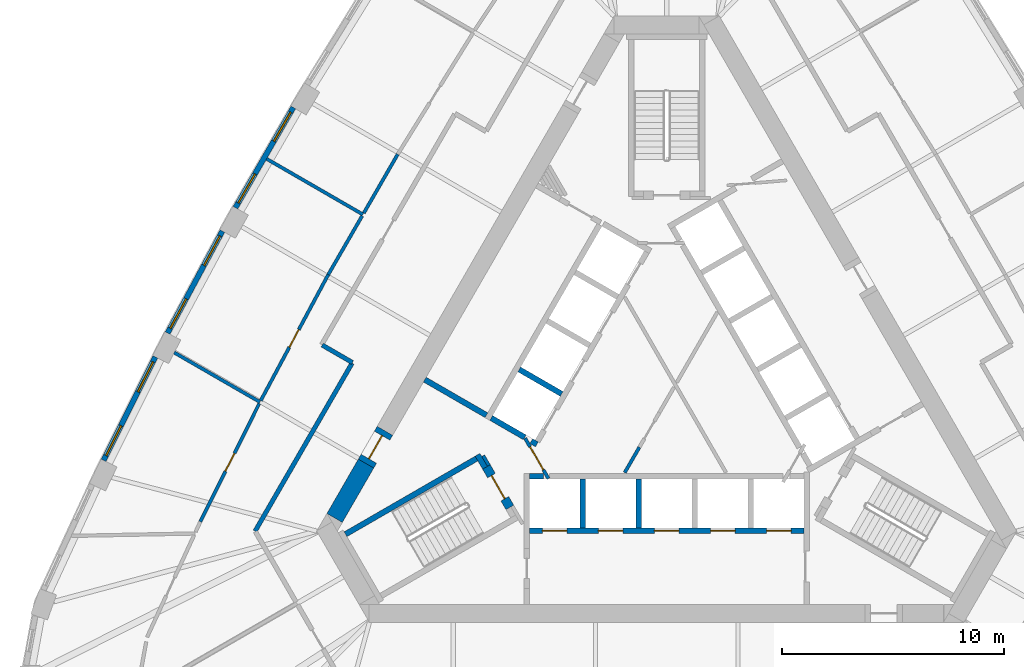
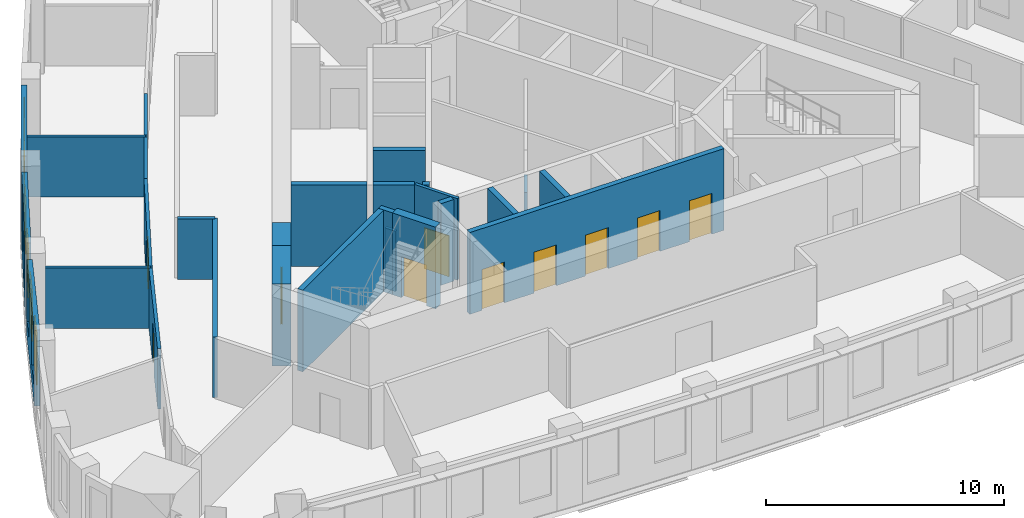
# One storey, part 4 of 10: 27 walls, 10 doors, 6 windows, 16 openings.
"""IFC4 building model written with IfcOpenShell, lengths in metres."""

from ifc_helpers import new_model, si_unit, direction, frame, frame_2d, origin, place, context, subcontext, project, spatial, rectangle, extrude, material, layer, layer_set, type_object, element, fill, save


model = new_model("IFC4")

# Units and contexts
model_context = context("Model", 3, precision=1e-05, world=origin(), true_north=direction((0.0, 1.0)))
body_context = subcontext(model_context, "Body", "Model", "MODEL_VIEW")
ifc_project = project(units=[si_unit("LENGTHUNIT", "METRE"), si_unit("AREAUNIT", "SQUARE_METRE"), si_unit("VOLUMEUNIT", "CUBIC_METRE"), si_unit("PLANEANGLEUNIT", "RADIAN"), si_unit("MASSUNIT", "GRAM", prefix="KILO")], contexts=[model_context])

# Site, building, storey
site_placement = place(None, origin())
site = spatial("IfcSite", under=ifc_project, at=site_placement, CompositionType="ELEMENT")
building_placement = place(site_placement, origin())
building = spatial("IfcBuilding", under=site, at=building_placement, Name="Mestral Congress Tower", CompositionType="ELEMENT")
storey_placement = place(building_placement, frame((0.0, 0.0, 192.0)))
storey = spatial("IfcBuildingStorey", under=building, at=storey_placement, Name="L45", CompositionType="ELEMENT", Elevation=192.0)

# Walls
ifc_material_1 = material(Name="Fire-rated board partition")
ifc_layer_1 = layer(ifc_material_1, 0.14990234375)
ifc_layer_set_1 = layer_set([ifc_layer_1], Name="Fire-rated board partition")
wall_type_1 = type_object("IfcWallType", Name="Core partition 150", PredefinedType="PARTITIONING", material=ifc_layer_set_1)
wall_1_placement = place(storey_placement, frame((-8.251953125, -2.958251953125, 0.0), z_axis=(0.0, 0.0, 1.0), x_axis=(0.500174715838, -0.865924508047, 0.0)))
element("IfcWall", 1, at=wall_1_placement, inside=storey, type_object=wall_type_1, Name="L45 core wall", PredefinedType="PARTITIONING", context=body_context, shape_type="SweptSolid", body=[
    extrude(rectangle(XDim=0.513916015625, YDim=0.14990234375, at=frame_2d((0.2568359375, 0.0))), origin(), (0.0, 0.0, 1.0), 3.10009765625),
])
wall_2_placement = place(storey_placement, frame((-1.886962890625, -3.71826171875, 0.0), z_axis=(0.0, 0.0, 1.0), x_axis=(0.500033191285, 0.866006239939, 0.0)))
element("IfcWall", 2, at=wall_2_placement, inside=storey, type_object=wall_type_1, Name="L45 core wall", PredefinedType="PARTITIONING", context=body_context, shape_type="SweptSolid", body=[
    extrude(rectangle(XDim=1.31494140625, YDim=0.14990234375, at=frame_2d((0.657470703125, 0.0))), origin(), (0.0, 0.0, 1.0), 3.10009765625),
])
ifc_material_2 = material(Name="Concrete C60/75", Category="concrete")
ifc_layer_2 = layer(ifc_material_2, 0.800048828125)
ifc_layer_set_2 = layer_set([ifc_layer_2], Name="Concrete C60/75")
wall_type_2 = type_object("IfcWallType", Name="Core wall RC 800", PredefinedType="SOLIDWALL", material=ifc_layer_set_2)
wall_3_placement = place(storey_placement, frame((-13.518310546875, -3.314208984375, 0.0), z_axis=(0.0, 0.0, 1.0), x_axis=(-0.499969377405, -0.866043083026, 0.0)))
element("IfcWall", 3, at=wall_3_placement, inside=storey, type_object=wall_type_2, Name="L45 core wall", PredefinedType="SOLIDWALL", context=body_context, shape_type="SweptSolid", body=[
    extrude(rectangle(XDim=2.824462890625, YDim=0.800048828125, at=frame_2d((1.412109375, 0.0))), origin(), (0.0, 0.0, 1.0), 4.199951171875),
])

# Wall, opening, door
wall_4_placement = place(storey_placement, frame((-13.518310546875, -3.314208984375, 0.0), z_axis=(0.0, 0.0, 1.0), x_axis=(0.500000056704, 0.866025371046, 0.0)))
wall_4 = element("IfcWall", 4, at=wall_4_placement, inside=storey, type_object=wall_type_2, Name="L45 door wall", PredefinedType="SOLIDWALL", context=body_context, shape_type="SweptSolid", body=[
    extrude(rectangle(XDim=1.7001953125, YDim=0.800048828125, at=frame_2d((0.85009765625, 0.0))), origin(), (0.0, 0.0, 1.0), 4.199951171875),
])
opening_1_placement = place(wall_4_placement, frame((0.25, 0.0, 0.0)))
opening_1 = element("IfcOpeningElement", 5, at=opening_1_placement, cuts=wall_4, Name="Opening XD3", PredefinedType="OPENING", context=body_context, shape_type="SweptSolid", body=[
    extrude(rectangle(XDim=1.199951171875, YDim=2.10009765625, at=frame_2d((0.60009765625, 1.050048828125))), frame((0.0, 0.409912109375, 0.0), z_axis=(0.0, -1.0, 0.0), x_axis=(1.0, 0.0, 0.0)), (0.0, 0.0, 1.0), 0.820068359375),
])
ifc_material_3 = material(Name="Fire-rated steel door set", Category="steel")
door_type_1 = type_object("IfcDoorType", Name="Core door XD 1200x2100", OperationType="SINGLE_SWING_LEFT", PredefinedType="DOOR", material=ifc_material_3)
door_1_placement = place(opening_1_placement, origin())
door_1 = element("IfcDoor", 6, at=door_1_placement, inside=storey, type_object=door_type_1, Name="Door XD3", OperationType="SINGLE_SWING_LEFT", OverallHeight=2.10009765625, OverallWidth=1.199951171875, PredefinedType="DOOR", context=body_context, shape_type="SweptSolid", body=[
    extrude(rectangle(XDim=1.199951171875, YDim=2.10009765625, at=frame_2d((0.60009765625, 1.050048828125))), frame((0.0, 0.02490234375, 0.0), z_axis=(0.0, -1.0, 0.0), x_axis=(1.0, 0.0, 0.0)), (0.0, 0.0, 1.0), 0.050048828125),
])
fill(opening_1, door_1)

# Wall, openings, windows
ifc_material_4 = material(Name="Precast concrete C40/50 with limestone facing", Category="masonry")
ifc_layer_3 = layer(ifc_material_4, 0.239990234375)
ifc_layer_set_3 = layer_set([ifc_layer_3], Name="Precast concrete C40/50 with limestone facing")
wall_type_3 = type_object("IfcWallType", Name="Facade stone wall 240", PredefinedType="SOLIDWALL", material=ifc_layer_set_3)
wall_5_placement = place(storey_placement, frame((-16.788818359375, 12.697265625, 0.0), z_axis=(0.0, 0.0, 1.0), x_axis=(-0.500009456303, -0.866019944116, 0.0)))
wall_5 = element("IfcWall", 7, at=wall_5_placement, inside=storey, type_object=wall_type_3, Name="Facade wall F2-03", PredefinedType="SOLIDWALL", context=body_context, shape_type="SweptSolid", body=[
    extrude(rectangle(XDim=5.20361328125, YDim=0.239990234375, at=frame_2d((2.601806640625, 0.0))), origin(), (0.0, 0.0, 1.0), 3.89990234375),
])
opening_2_placement = place(wall_5_placement, frame((0.248291015625, 0.0, 0.89990234375)))
opening_2 = element("IfcOpeningElement", 8, at=opening_2_placement, cuts=wall_5, Name="Opening W4", PredefinedType="OPENING", context=body_context, shape_type="SweptSolid", body=[
    extrude(rectangle(XDim=1.5, YDim=2.550048828125, at=frame_2d((0.75, 1.27490234375))), frame((0.0, 0.1298828125, 0.0), z_axis=(0.0, -1.0, 0.0), x_axis=(1.0, 0.0, 0.0)), (0.0, 0.0, 1.0), 0.260009765625),
])
opening_3_placement = place(wall_5_placement, frame((3.455078125, 0.0, 0.89990234375)))
opening_3 = element("IfcOpeningElement", 9, at=opening_3_placement, cuts=wall_5, Name="Opening W4", PredefinedType="OPENING", context=body_context, shape_type="SweptSolid", body=[
    extrude(rectangle(XDim=1.5, YDim=2.550048828125, at=frame_2d((0.75, 1.27490234375))), frame((0.0, 0.1298828125, 0.0), z_axis=(0.0, -1.0, 0.0), x_axis=(1.0, 0.0, 0.0)), (0.0, 0.0, 1.0), 0.260009765625),
])
ifc_material_5 = material(Name="Clear low-emissivity double glazing", Category="glass")
window_type = type_object("IfcWindowType", Name="Facade punched window 1500 x 2550 sill 900", PartitioningType="SINGLE_PANEL", PredefinedType="WINDOW", material=ifc_material_5)
window_1_placement = place(opening_2_placement, origin())
window_1 = element("IfcWindow", 10, at=window_1_placement, inside=storey, type_object=window_type, Name="Window F2-03a", OverallHeight=2.550048828125, OverallWidth=1.5, PartitioningType="SINGLE_PANEL", PredefinedType="WINDOW", context=body_context, shape_type="SweptSolid", body=[
    extrude(rectangle(XDim=1.5, YDim=2.550048828125, at=frame_2d((0.75, 1.27490234375))), frame((0.0, 0.0400390625, 0.0), z_axis=(0.0, -1.0, 0.0), x_axis=(1.0, 0.0, 0.0)), (0.0, 0.0, 1.0), 0.06005859375),
])
fill(opening_2, window_1)
window_2_placement = place(opening_3_placement, origin())
window_2 = element("IfcWindow", 11, at=window_2_placement, inside=storey, type_object=window_type, Name="Window F2-03b", OverallHeight=2.550048828125, OverallWidth=1.5, PartitioningType="SINGLE_PANEL", PredefinedType="WINDOW", context=body_context, shape_type="SweptSolid", body=[
    extrude(rectangle(XDim=1.5, YDim=2.550048828125, at=frame_2d((0.75, 1.27490234375))), frame((0.0, 0.0400390625, 0.0), z_axis=(0.0, -1.0, 0.0), x_axis=(1.0, 0.0, 0.0)), (0.0, 0.0, 1.0), 0.06005859375),
])
fill(opening_3, window_2)

wall_6_placement = place(storey_placement, frame((-19.976806640625, 7.138671875, 0.0), z_axis=(0.0, 0.0, 1.0), x_axis=(-0.473349833294, -0.880874528704, 0.0)))
wall_6 = element("IfcWall", 12, at=wall_6_placement, inside=storey, type_object=wall_type_3, Name="Facade wall F2-04", PredefinedType="SOLIDWALL", context=body_context, shape_type="SweptSolid", body=[
    extrude(rectangle(XDim=5.20361328125, YDim=0.239990234375, at=frame_2d((2.601806640625, 0.0))), origin(), (0.0, 0.0, 1.0), 3.89990234375),
])
opening_4_placement = place(wall_6_placement, frame((0.248291015625, 0.0, 0.89990234375)))
opening_4 = element("IfcOpeningElement", 13, at=opening_4_placement, cuts=wall_6, Name="Opening W4", PredefinedType="OPENING", context=body_context, shape_type="SweptSolid", body=[
    extrude(rectangle(XDim=1.5, YDim=2.550048828125, at=frame_2d((0.75, 1.27490234375))), frame((0.0, 0.1298828125, 0.0), z_axis=(0.0, -1.0, 0.0), x_axis=(1.0, 0.0, 0.0)), (0.0, 0.0, 1.0), 0.260009765625),
])
opening_5_placement = place(wall_6_placement, frame((3.455078125, 0.0, 0.89990234375)))
opening_5 = element("IfcOpeningElement", 14, at=opening_5_placement, cuts=wall_6, Name="Opening W4", PredefinedType="OPENING", context=body_context, shape_type="SweptSolid", body=[
    extrude(rectangle(XDim=1.5, YDim=2.550048828125, at=frame_2d((0.75, 1.27490234375))), frame((0.0, 0.1298828125, 0.0), z_axis=(0.0, -1.0, 0.0), x_axis=(1.0, 0.0, 0.0)), (0.0, 0.0, 1.0), 0.260009765625),
])
window_3_placement = place(opening_4_placement, origin())
window_3 = element("IfcWindow", 15, at=window_3_placement, inside=storey, type_object=window_type, Name="Window F2-04a", OverallHeight=2.550048828125, OverallWidth=1.5, PartitioningType="SINGLE_PANEL", PredefinedType="WINDOW", context=body_context, shape_type="SweptSolid", body=[
    extrude(rectangle(XDim=1.5, YDim=2.550048828125, at=frame_2d((0.75, 1.27490234375))), frame((0.0, 0.0400390625, 0.0), z_axis=(0.0, -1.0, 0.0), x_axis=(1.0, 0.0, 0.0)), (0.0, 0.0, 1.0), 0.06005859375),
])
fill(opening_4, window_3)
window_4_placement = place(opening_5_placement, origin())
window_4 = element("IfcWindow", 16, at=window_4_placement, inside=storey, type_object=window_type, Name="Window F2-04b", OverallHeight=2.550048828125, OverallWidth=1.5, PartitioningType="SINGLE_PANEL", PredefinedType="WINDOW", context=body_context, shape_type="SweptSolid", body=[
    extrude(rectangle(XDim=1.5, YDim=2.550048828125, at=frame_2d((0.75, 1.27490234375))), frame((0.0, 0.0400390625, 0.0), z_axis=(0.0, -1.0, 0.0), x_axis=(1.0, 0.0, 0.0)), (0.0, 0.0, 1.0), 0.06005859375),
])
fill(opening_5, window_4)

wall_7_placement = place(storey_placement, frame((-22.993896484375, 1.485107421875, 0.0), z_axis=(0.0, 0.0, 1.0), x_axis=(-0.446256171312, -0.8949052629, 0.0)))
wall_7 = element("IfcWall", 17, at=wall_7_placement, inside=storey, type_object=wall_type_3, Name="Facade wall F2-05", PredefinedType="SOLIDWALL", context=body_context, shape_type="SweptSolid", body=[
    extrude(rectangle(XDim=5.203369140625, YDim=0.239990234375, at=frame_2d((2.6015625, 0.0))), origin(), (0.0, 0.0, 1.0), 3.89990234375),
])
opening_6_placement = place(wall_7_placement, frame((0.248291015625, 0.0, 0.89990234375)))
opening_6 = element("IfcOpeningElement", 18, at=opening_6_placement, cuts=wall_7, Name="Opening W4", PredefinedType="OPENING", context=body_context, shape_type="SweptSolid", body=[
    extrude(rectangle(XDim=1.5, YDim=2.550048828125, at=frame_2d((0.75, 1.27490234375))), frame((0.0, 0.1298828125, 0.0), z_axis=(0.0, -1.0, 0.0), x_axis=(1.0, 0.0, 0.0)), (0.0, 0.0, 1.0), 0.260009765625),
])
opening_7_placement = place(wall_7_placement, frame((3.455078125, 0.0, 0.89990234375)))
opening_7 = element("IfcOpeningElement", 19, at=opening_7_placement, cuts=wall_7, Name="Opening W4", PredefinedType="OPENING", context=body_context, shape_type="SweptSolid", body=[
    extrude(rectangle(XDim=1.5, YDim=2.550048828125, at=frame_2d((0.75, 1.27490234375))), frame((0.0, 0.1298828125, 0.0), z_axis=(0.0, -1.0, 0.0), x_axis=(1.0, 0.0, 0.0)), (0.0, 0.0, 1.0), 0.260009765625),
])
window_5_placement = place(opening_6_placement, origin())
window_5 = element("IfcWindow", 20, at=window_5_placement, inside=storey, type_object=window_type, Name="Window F2-05a", OverallHeight=2.550048828125, OverallWidth=1.5, PartitioningType="SINGLE_PANEL", PredefinedType="WINDOW", context=body_context, shape_type="SweptSolid", body=[
    extrude(rectangle(XDim=1.5, YDim=2.550048828125, at=frame_2d((0.75, 1.27490234375))), frame((0.0, 0.0400390625, 0.0), z_axis=(0.0, -1.0, 0.0), x_axis=(1.0, 0.0, 0.0)), (0.0, 0.0, 1.0), 0.06005859375),
])
fill(opening_6, window_5)
window_6_placement = place(opening_7_placement, origin())
window_6 = element("IfcWindow", 21, at=window_6_placement, inside=storey, type_object=window_type, Name="Window F2-05b", OverallHeight=2.550048828125, OverallWidth=1.5, PartitioningType="SINGLE_PANEL", PredefinedType="WINDOW", context=body_context, shape_type="SweptSolid", body=[
    extrude(rectangle(XDim=1.5, YDim=2.550048828125, at=frame_2d((0.75, 1.27490234375))), frame((0.0, 0.0400390625, 0.0), z_axis=(0.0, -1.0, 0.0), x_axis=(1.0, 0.0, 0.0)), (0.0, 0.0, 1.0), 0.06005859375),
])
fill(opening_7, window_6)

# Walls
ifc_material_6 = material(Name="Plasterboard partition on steel studs", Category="steel")
ifc_layer_4 = layer(ifc_material_6, 0.14990234375)
ifc_layer_set_4 = layer_set([ifc_layer_4], Name="Plasterboard partition on steel studs")
wall_type_4 = type_object("IfcWallType", Name="Office partition 150", PredefinedType="PARTITIONING", material=ifc_layer_set_4)
wall_8_placement = place(storey_placement, frame((-13.65576171875, 7.884033203125, 0.0), z_axis=(0.0, 0.0, 1.0), x_axis=(-0.866022959057, 0.500004234368, 0.0)))
element("IfcWall", 22, at=wall_8_placement, inside=storey, type_object=wall_type_4, Name="Partition", PredefinedType="PARTITIONING", context=body_context, shape_type="SweptSolid", body=[
    extrude(rectangle(XDim=5.0, YDim=0.14990234375, at=frame_2d((2.5, 0.0))), origin(), (0.0, 0.0, 1.0), 3.10009765625),
])
wall_9_placement = place(storey_placement, frame((-12.0927734375, 10.59130859375, 0.0), z_axis=(0.0, 0.0, 1.0), x_axis=(-0.499994921628, -0.866028335764, 0.0)))
element("IfcWall", 23, at=wall_9_placement, inside=storey, type_object=wall_type_4, Name="Partition", PredefinedType="PARTITIONING", context=body_context, shape_type="SweptSolid", body=[
    extrude(rectangle(XDim=3.05078125, YDim=0.14990234375, at=frame_2d((1.525390625, 0.0))), origin(), (0.0, 0.0, 1.0), 3.10009765625),
])
wall_10_placement = place(storey_placement, frame((-18.2861328125, -0.54736328125, 0.0), z_axis=(0.0, 0.0, 1.0), x_axis=(-0.866043033223, 0.499969463673, 0.0)))
element("IfcWall", 24, at=wall_10_placement, inside=storey, type_object=wall_type_4, Name="Partition", PredefinedType="PARTITIONING", context=body_context, shape_type="SweptSolid", body=[
    extrude(rectangle(XDim=4.448974609375, YDim=0.14990234375, at=frame_2d((2.224609375, 0.0))), origin(), (0.0, 0.0, 1.0), 3.10009765625),
])
wall_11_placement = place(storey_placement, frame((-13.693115234375, 7.819091796875, 0.0), z_axis=(0.0, 0.0, 1.0), x_axis=(-0.500054937028, -0.865993683553, 0.0)))
element("IfcWall", 25, at=wall_11_placement, inside=storey, type_object=wall_type_4, Name="Partition", PredefinedType="PARTITIONING", context=body_context, shape_type="SweptSolid", body=[
    extrude(rectangle(XDim=3.051025390625, YDim=0.14990234375, at=frame_2d((1.525390625, 0.0))), origin(), (0.0, 0.0, 1.0), 3.10009765625),
])

# Wall, opening, door
wall_12_placement = place(storey_placement, frame((-18.250732421875, -0.481201171875, 0.0), z_axis=(0.0, 0.0, 1.0), x_axis=(0.472318506028, 0.881427948765, 0.0)))
wall_12 = element("IfcWall", 26, at=wall_12_placement, inside=storey, type_object=wall_type_4, Name="Partition", PredefinedType="PARTITIONING", context=body_context, shape_type="SweptSolid", body=[
    extrude(rectangle(XDim=6.41943359375, YDim=0.14990234375, at=frame_2d((3.209716796875, 0.0))), origin(), (0.0, 0.0, 1.0), 3.10009765625),
])
opening_8_placement = place(wall_12_placement, frame((2.719482421875, 0.0, 0.0)))
opening_8 = element("IfcOpeningElement", 27, at=opening_8_placement, cuts=wall_12, Name="Opening O05-014", PredefinedType="OPENING", context=body_context, shape_type="SweptSolid", body=[
    extrude(rectangle(XDim=0.89990234375, YDim=2.10009765625, at=frame_2d((0.449951171875, 1.050048828125))), frame((0.0, 0.0849609375, 0.0), z_axis=(0.0, -1.0, 0.0), x_axis=(1.0, 0.0, 0.0)), (0.0, 0.0, 1.0), 0.169921875),
])
ifc_material_7 = material(Name="Timber door set", Category="wood")
door_type_2 = type_object("IfcDoorType", Name="Office door 900x2100", OperationType="SINGLE_SWING_LEFT", PredefinedType="DOOR", material=ifc_material_7)
door_2_placement = place(opening_8_placement, origin())
door_2 = element("IfcDoor", 28, at=door_2_placement, inside=storey, type_object=door_type_2, Name="Door O05-014", OperationType="SINGLE_SWING_LEFT", OverallHeight=2.10009765625, OverallWidth=0.89990234375, PredefinedType="DOOR", context=body_context, shape_type="SweptSolid", body=[
    extrude(rectangle(XDim=0.89990234375, YDim=2.10009765625, at=frame_2d((0.449951171875, 1.050048828125))), frame((0.0, 0.02490234375, 0.0), z_axis=(0.0, -1.0, 0.0), x_axis=(1.0, 0.0, 0.0)), (0.0, 0.0, 1.0), 0.050048828125),
])
fill(opening_8, door_2)

wall_13_placement = place(storey_placement, frame((-20.9677734375, -5.92529296875, 0.0), z_axis=(0.0, 0.0, 1.0), x_axis=(0.446258864447, 0.894903919928, 0.0)))
wall_13 = element("IfcWall", 29, at=wall_13_placement, inside=storey, type_object=wall_type_4, Name="Partition", PredefinedType="PARTITIONING", context=body_context, shape_type="SweptSolid", body=[
    extrude(rectangle(XDim=5.934326171875, YDim=0.14990234375, at=frame_2d((2.96728515625, 0.0))), origin(), (0.0, 0.0, 1.0), 3.10009765625),
])
opening_9_placement = place(wall_13_placement, frame((2.5341796875, 0.0, 0.0)))
opening_9 = element("IfcOpeningElement", 30, at=opening_9_placement, cuts=wall_13, Name="Opening O05-015", PredefinedType="OPENING", context=body_context, shape_type="SweptSolid", body=[
    extrude(rectangle(XDim=0.89990234375, YDim=2.10009765625, at=frame_2d((0.449951171875, 1.050048828125))), frame((0.0, 0.0849609375, 0.0), z_axis=(0.0, -1.0, 0.0), x_axis=(1.0, 0.0, 0.0)), (0.0, 0.0, 1.0), 0.169921875),
])
door_3_placement = place(opening_9_placement, origin())
door_3 = element("IfcDoor", 31, at=door_3_placement, inside=storey, type_object=door_type_2, Name="Door O05-015", OperationType="SINGLE_SWING_RIGHT", OverallHeight=2.10009765625, OverallWidth=0.89990234375, PredefinedType="DOOR", context=body_context, shape_type="SweptSolid", body=[
    extrude(rectangle(XDim=0.89990234375, YDim=2.10009765625, at=frame_2d((0.449951171875, 1.050048828125))), frame((0.0, 0.02490234375, 0.0), z_axis=(0.0, -1.0, 0.0), x_axis=(1.0, 0.0, 0.0)), (0.0, 0.0, 1.0), 0.050048828125),
])
fill(opening_9, door_3)

# Walls
ifc_material_8 = material(Name="Dense masonry wall, plastered", Category="masonry")
ifc_layer_5 = layer(ifc_material_8, 0.199951171875)
ifc_layer_set_5 = layer_set([ifc_layer_5], Name="Dense masonry wall, plastered")
wall_type_5 = type_object("IfcWallType", Name="Office tenancy wall 200", PredefinedType="PARTITIONING", material=ifc_layer_set_5)
wall_14_placement = place(storey_placement, frame((-15.488037109375, 2.013916015625, 0.0), z_axis=(0.0, 0.0, 1.0), x_axis=(0.865975818674, -0.500085874098, 0.0)))
element("IfcWall", 32, at=wall_14_placement, inside=storey, type_object=wall_type_5, Name="Tenancy wall", PredefinedType="PARTITIONING", context=body_context, shape_type="SweptSolid", body=[
    extrude(rectangle(XDim=1.570068359375, YDim=0.199951171875, at=frame_2d((0.78515625, 0.0))), origin(), (0.0, 0.0, 1.0), 3.10009765625),
])
wall_15_placement = place(storey_placement, frame((-14.143310546875, 1.202880859375, 0.0), z_axis=(0.0, 0.0, 1.0), x_axis=(-0.500010806419, -0.866019164606, 0.0)))
element("IfcWall", 33, at=wall_15_placement, inside=storey, type_object=wall_type_5, Name="Tenancy wall", PredefinedType="PARTITIONING", context=body_context, shape_type="SweptSolid", body=[
    extrude(rectangle(XDim=8.721435546875, YDim=0.199951171875, at=frame_2d((4.36083984375, 0.0))), origin(), (0.0, 0.0, 1.0), 3.10009765625),
])
ifc_layer_6 = layer(ifc_material_2, 0.25)
ifc_layer_set_6 = layer_set([ifc_layer_6], Name="Concrete C60/75")
wall_type_6 = type_object("IfcWallType", Name="Shaft wall RC 250", PredefinedType="SOLIDWALL", material=ifc_layer_set_6)
for number, where, z_axis, x_axis, name in (
    (34, (-1.260009765625, -4.0, 0.0), (0.0, 0.0, 1.0), (0.0, -1.0, 0.0), "L45 core wall"),
    (35, (-3.780029296875, -4.0, 0.0), (0.0, 0.0, 1.0), (0.0, -1.0, 0.0), "L45 core wall"),
):
    element("IfcWall", number, at=place(storey_placement, frame(where, z_axis=z_axis, x_axis=x_axis)), inside=storey, type_object=wall_type_6, Name=name, PredefinedType="SOLIDWALL", context=body_context, shape_type="SweptSolid", body=[
        extrude(rectangle(XDim=2.199951171875, YDim=0.25, at=frame_2d((1.10009765625, 0.0))), origin(), (0.0, 0.0, 1.0), 4.199951171875),
    ])
wall_16_placement = place(storey_placement, frame((-6.175048828125, -3.875, 0.0), z_axis=(0.0, 0.0, 1.0), x_axis=(1.0, 0.0, 0.0)))
element("IfcWall", 36, at=wall_16_placement, inside=storey, type_object=wall_type_6, Name="L45 core wall", PredefinedType="SOLIDWALL", context=body_context, shape_type="SweptSolid", body=[
    extrude(rectangle(XDim=0.63671875, YDim=0.25, at=frame_2d((0.318359375, 0.0))), origin(), (0.0, 0.0, 1.0), 4.199951171875),
])
wall_17_placement = place(storey_placement, frame((-4.72412109375, -0.182373046875, 0.0), z_axis=(0.0, 0.0, 1.0), x_axis=(-0.866008176907, 0.50002983664, 0.0)))
element("IfcWall", 37, at=wall_17_placement, inside=storey, type_object=wall_type_6, Name="L45 core wall", PredefinedType="SOLIDWALL", context=body_context, shape_type="SweptSolid", body=[
    extrude(rectangle(XDim=2.199951171875, YDim=0.25, at=frame_2d((1.10009765625, 0.0))), origin(), (0.0, 0.0, 1.0), 4.199951171875),
])
wall_18_placement = place(storey_placement, frame((-6.088134765625, -2.3046875, 0.0), z_axis=(0.0, 0.0, 1.0), x_axis=(0.866059450854, -0.499941024108, 0.0)))
element("IfcWall", 38, at=wall_18_placement, inside=storey, type_object=wall_type_6, Name="L45 core wall", PredefinedType="SOLIDWALL", context=body_context, shape_type="SweptSolid", body=[
    extrude(rectangle(XDim=0.2900390625, YDim=0.25, at=frame_2d((0.14501953125, 0.0))), origin(), (0.0, 0.0, 1.0), 4.199951171875),
])
wall_19_placement = place(storey_placement, frame((-7.889404296875, -1.2646484375, 0.0), z_axis=(0.0, 0.0, 1.0), x_axis=(0.865986741702, -0.500066958712, 0.0)))
element("IfcWall", 39, at=wall_19_placement, inside=storey, type_object=wall_type_6, Name="L45 core wall", PredefinedType="SOLIDWALL", context=body_context, shape_type="SweptSolid", body=[
    extrude(rectangle(XDim=1.738037109375, YDim=0.25, at=frame_2d((0.869140625, 0.0))), origin(), (0.0, 0.0, 1.0), 4.199951171875),
])
wall_20_placement = place(storey_placement, frame((-8.10595703125, -1.139892578125, 0.0), z_axis=(0.0, 0.0, 1.0), x_axis=(-0.866008981251, 0.500028443584, 0.0)))
element("IfcWall", 40, at=wall_20_placement, inside=storey, type_object=wall_type_6, Name="L45 core wall", PredefinedType="SOLIDWALL", context=body_context, shape_type="SweptSolid", body=[
    extrude(rectangle(XDim=3.199951171875, YDim=0.25, at=frame_2d((1.60009765625, 0.0))), origin(), (0.0, 0.0, 1.0), 4.199951171875),
])

# Wall, openings, doors
wall_21_placement = place(storey_placement, frame((-6.175048828125, -6.324951171875, 0.0), z_axis=(0.0, 0.0, 1.0), x_axis=(1.0, 0.0, 0.0)))
wall_21 = element("IfcWall", 41, at=wall_21_placement, inside=storey, type_object=wall_type_6, Name="L45 door wall", PredefinedType="SOLIDWALL", context=body_context, shape_type="SweptSolid", body=[
    extrude(rectangle(XDim=12.35009765625, YDim=0.25, at=frame_2d((6.175048828125, 0.0))), origin(), (0.0, 0.0, 1.0), 4.199951171875),
])
opening_10_placement = place(wall_21_placement, frame((0.5849609375, 0.0, 0.0)))
opening_10 = element("IfcOpeningElement", 42, at=opening_10_placement, cuts=wall_21, Name="Opening LD-SOB1", PredefinedType="OPENING", context=body_context, shape_type="SweptSolid", body=[
    extrude(rectangle(XDim=1.10009765625, YDim=2.10009765625, at=frame_2d((0.550048828125, 1.050048828125))), frame((0.0, 0.135009765625, 0.0), z_axis=(0.0, -1.0, 0.0), x_axis=(1.0, 0.0, 0.0)), (0.0, 0.0, 1.0), 0.27001953125),
])
opening_11_placement = place(wall_21_placement, frame((3.10498046875, 0.0, 0.0)))
opening_11 = element("IfcOpeningElement", 43, at=opening_11_placement, cuts=wall_21, Name="Opening LD-SOB2", PredefinedType="OPENING", context=body_context, shape_type="SweptSolid", body=[
    extrude(rectangle(XDim=1.10009765625, YDim=2.10009765625, at=frame_2d((0.550048828125, 1.050048828125))), frame((0.0, 0.135009765625, 0.0), z_axis=(0.0, -1.0, 0.0), x_axis=(1.0, 0.0, 0.0)), (0.0, 0.0, 1.0), 0.27001953125),
])
opening_12_placement = place(wall_21_placement, frame((5.625, 0.0, 0.0)))
opening_12 = element("IfcOpeningElement", 44, at=opening_12_placement, cuts=wall_21, Name="Opening LD-SOB3", PredefinedType="OPENING", context=body_context, shape_type="SweptSolid", body=[
    extrude(rectangle(XDim=1.10009765625, YDim=2.10009765625, at=frame_2d((0.550048828125, 1.050048828125))), frame((0.0, 0.135009765625, 0.0), z_axis=(0.0, -1.0, 0.0), x_axis=(1.0, 0.0, 0.0)), (0.0, 0.0, 1.0), 0.27001953125),
])
opening_13_placement = place(wall_21_placement, frame((8.14501953125, 0.0, 0.0)))
opening_13 = element("IfcOpeningElement", 45, at=opening_13_placement, cuts=wall_21, Name="Opening LD-SOB4", PredefinedType="OPENING", context=body_context, shape_type="SweptSolid", body=[
    extrude(rectangle(XDim=1.10009765625, YDim=2.10009765625, at=frame_2d((0.550048828125, 1.050048828125))), frame((0.0, 0.135009765625, 0.0), z_axis=(0.0, -1.0, 0.0), x_axis=(1.0, 0.0, 0.0)), (0.0, 0.0, 1.0), 0.27001953125),
])
opening_14_placement = place(wall_21_placement, frame((10.6650390625, 0.0, 0.0)))
opening_14 = element("IfcOpeningElement", 46, at=opening_14_placement, cuts=wall_21, Name="Opening LD-SOB5", PredefinedType="OPENING", context=body_context, shape_type="SweptSolid", body=[
    extrude(rectangle(XDim=1.10009765625, YDim=2.10009765625, at=frame_2d((0.550048828125, 1.050048828125))), frame((0.0, 0.135009765625, 0.0), z_axis=(0.0, -1.0, 0.0), x_axis=(1.0, 0.0, 0.0)), (0.0, 0.0, 1.0), 0.27001953125),
])
door_type_3 = type_object("IfcDoorType", Name="Core door LD 1100x2100", OperationType="DOUBLE_DOOR_SLIDING", PredefinedType="DOOR", material=ifc_material_3)
door_4_placement = place(opening_10_placement, origin())
door_4 = element("IfcDoor", 47, at=door_4_placement, inside=storey, type_object=door_type_3, Name="Door LD-SOB1", OperationType="DOUBLE_DOOR_SLIDING", OverallHeight=2.10009765625, OverallWidth=1.10009765625, PredefinedType="DOOR", context=body_context, shape_type="SweptSolid", body=[
    extrude(rectangle(XDim=1.10009765625, YDim=2.10009765625, at=frame_2d((0.550048828125, 1.050048828125))), frame((0.0, 0.02490234375, 0.0), z_axis=(0.0, -1.0, 0.0), x_axis=(1.0, 0.0, 0.0)), (0.0, 0.0, 1.0), 0.050048828125),
])
fill(opening_10, door_4)
door_5_placement = place(opening_11_placement, origin())
door_5 = element("IfcDoor", 48, at=door_5_placement, inside=storey, type_object=door_type_3, Name="Door LD-SOB2", OperationType="DOUBLE_DOOR_SLIDING", OverallHeight=2.10009765625, OverallWidth=1.10009765625, PredefinedType="DOOR", context=body_context, shape_type="SweptSolid", body=[
    extrude(rectangle(XDim=1.10009765625, YDim=2.10009765625, at=frame_2d((0.550048828125, 1.050048828125))), frame((0.0, 0.02490234375, 0.0), z_axis=(0.0, -1.0, 0.0), x_axis=(1.0, 0.0, 0.0)), (0.0, 0.0, 1.0), 0.050048828125),
])
fill(opening_11, door_5)
door_6_placement = place(opening_12_placement, origin())
door_6 = element("IfcDoor", 49, at=door_6_placement, inside=storey, type_object=door_type_3, Name="Door LD-SOB3", OperationType="DOUBLE_DOOR_SLIDING", OverallHeight=2.10009765625, OverallWidth=1.10009765625, PredefinedType="DOOR", context=body_context, shape_type="SweptSolid", body=[
    extrude(rectangle(XDim=1.10009765625, YDim=2.10009765625, at=frame_2d((0.550048828125, 1.050048828125))), frame((0.0, 0.02490234375, 0.0), z_axis=(0.0, -1.0, 0.0), x_axis=(1.0, 0.0, 0.0)), (0.0, 0.0, 1.0), 0.050048828125),
])
fill(opening_12, door_6)
door_7_placement = place(opening_13_placement, origin())
door_7 = element("IfcDoor", 50, at=door_7_placement, inside=storey, type_object=door_type_3, Name="Door LD-SOB4", OperationType="DOUBLE_DOOR_SLIDING", OverallHeight=2.10009765625, OverallWidth=1.10009765625, PredefinedType="DOOR", context=body_context, shape_type="SweptSolid", body=[
    extrude(rectangle(XDim=1.10009765625, YDim=2.10009765625, at=frame_2d((0.550048828125, 1.050048828125))), frame((0.0, 0.02490234375, 0.0), z_axis=(0.0, -1.0, 0.0), x_axis=(1.0, 0.0, 0.0)), (0.0, 0.0, 1.0), 0.050048828125),
])
fill(opening_13, door_7)
door_8_placement = place(opening_14_placement, origin())
door_8 = element("IfcDoor", 51, at=door_8_placement, inside=storey, type_object=door_type_3, Name="Door LD-SOB5", OperationType="DOUBLE_DOOR_SLIDING", OverallHeight=2.10009765625, OverallWidth=1.10009765625, PredefinedType="DOOR", context=body_context, shape_type="SweptSolid", body=[
    extrude(rectangle(XDim=1.10009765625, YDim=2.10009765625, at=frame_2d((0.550048828125, 1.050048828125))), frame((0.0, 0.02490234375, 0.0), z_axis=(0.0, -1.0, 0.0), x_axis=(1.0, 0.0, 0.0)), (0.0, 0.0, 1.0), 0.050048828125),
])
fill(opening_14, door_8)

# Wall, opening, door
ifc_layer_7 = layer(ifc_material_2, 0.14990234375)
ifc_layer_set_7 = layer_set([ifc_layer_7], Name="Concrete C60/75")
wall_type_7 = type_object("IfcWallType", Name="Shaft wall RC 250 door-wall 150", PredefinedType="SOLIDWALL", material=ifc_layer_set_7)
wall_22_placement = place(storey_placement, frame((-5.3173828125, -3.98974609375, 0.0), z_axis=(0.0, 0.0, 1.0), x_axis=(-0.500027713859, 0.866009402589, 0.0)))
wall_22 = element("IfcWall", 52, at=wall_22_placement, inside=storey, type_object=wall_type_7, Name="L45 door wall", PredefinedType="PARTITIONING", context=body_context, shape_type="SweptSolid", body=[
    extrude(rectangle(XDim=2.10009765625, YDim=0.14990234375, at=frame_2d((1.050048828125, 0.0))), origin(), (0.0, 0.0, 1.0), 4.199951171875),
])
opening_15_placement = place(wall_22_placement, frame((0.449951171875, 0.0, 0.0)))
opening_15 = element("IfcOpeningElement", 53, at=opening_15_placement, cuts=wall_22, Name="Opening CD3-FF", PredefinedType="OPENING", context=body_context, shape_type="SweptSolid", body=[
    extrude(rectangle(XDim=1.199951171875, YDim=2.10009765625, at=frame_2d((0.60009765625, 1.050048828125))), frame((0.0, 0.0849609375, 0.0), z_axis=(0.0, -1.0, 0.0), x_axis=(1.0, 0.0, 0.0)), (0.0, 0.0, 1.0), 0.169921875),
])
door_type_4 = type_object("IfcDoorType", Name="Core door CD 1200x2100", OperationType="SINGLE_SWING_LEFT", PredefinedType="DOOR", material=ifc_material_3)
door_9_placement = place(opening_15_placement, origin())
door_9 = element("IfcDoor", 54, at=door_9_placement, inside=storey, type_object=door_type_4, Name="Door CD3-FF", OperationType="SINGLE_SWING_LEFT", OverallHeight=2.10009765625, OverallWidth=1.199951171875, PredefinedType="DOOR", context=body_context, shape_type="SweptSolid", body=[
    extrude(rectangle(XDim=1.199951171875, YDim=2.10009765625, at=frame_2d((0.60009765625, 1.050048828125))), frame((0.0, 0.02490234375, 0.0), z_axis=(0.0, -1.0, 0.0), x_axis=(1.0, 0.0, 0.0)), (0.0, 0.0, 1.0), 0.050048828125),
])
fill(opening_15, door_9)

# Walls
ifc_layer_8 = layer(ifc_material_2, 0.25)
ifc_layer_set_8 = layer_set([ifc_layer_8], Name="Concrete C60/75")
wall_type_8 = type_object("IfcWallType", Name="Stair wall RC 250", PredefinedType="SOLIDWALL", material=ifc_layer_set_8)
wall_23_placement = place(storey_placement, frame((-14.43994140625, -6.489501953125, 0.0), z_axis=(0.0, 0.0, 1.0), x_axis=(0.866022966069, 0.500004222222, 0.0)))
element("IfcWall", 55, at=wall_23_placement, inside=storey, type_object=wall_type_8, Name="L45 core wall", PredefinedType="SOLIDWALL", context=body_context, shape_type="SweptSolid", body=[
    extrude(rectangle(XDim=6.80029296875, YDim=0.25, at=frame_2d((3.400146484375, 0.0))), origin(), (0.0, 0.0, 1.0), 4.199951171875),
])
wall_24_placement = place(storey_placement, frame((-8.167724609375, -3.503173828125, 0.0), z_axis=(0.0, 0.0, 1.0), x_axis=(-0.499952099219, 0.866053057547, 0.0)))
element("IfcWall", 56, at=wall_24_placement, inside=storey, type_object=wall_type_8, Name="L45 core wall", PredefinedType="SOLIDWALL", context=body_context, shape_type="SweptSolid", body=[
    extrude(rectangle(XDim=0.6748046875, YDim=0.25, at=frame_2d((0.33740234375, 0.0))), origin(), (0.0, 0.0, 1.0), 4.199951171875),
])

# Wall, opening, door
ifc_layer_9 = layer(ifc_material_2, 0.39990234375)
ifc_layer_set_9 = layer_set([ifc_layer_9], Name="Concrete C60/75")
wall_type_9 = type_object("IfcWallType", Name="Stair wall RC 250 door-wall 400", PredefinedType="SOLIDWALL", material=ifc_layer_set_9)
wall_25_placement = place(storey_placement, frame((-8.102783203125, -3.4658203125, 0.0), z_axis=(0.0, 0.0, 1.0), x_axis=(0.500078061341, -0.865980330357, 0.0)))
wall_25 = element("IfcWall", 57, at=wall_25_placement, inside=storey, type_object=wall_type_9, Name="L45 door wall", PredefinedType="SOLIDWALL", context=body_context, shape_type="SweptSolid", body=[
    extrude(rectangle(XDim=2.099853515625, YDim=0.39990234375, at=frame_2d((1.0498046875, 0.0))), origin(), (0.0, 0.0, 1.0), 4.199951171875),
])
opening_16_placement = place(wall_25_placement, frame((0.449951171875, 0.0, 0.0)))
opening_16 = element("IfcOpeningElement", 58, at=opening_16_placement, cuts=wall_25, Name="Opening ST-D3", PredefinedType="OPENING", context=body_context, shape_type="SweptSolid", body=[
    extrude(rectangle(XDim=1.199951171875, YDim=2.10009765625, at=frame_2d((0.60009765625, 1.050048828125))), frame((0.0, 0.2099609375, 0.0), z_axis=(0.0, -1.0, 0.0), x_axis=(1.0, 0.0, 0.0)), (0.0, 0.0, 1.0), 0.419921875),
])
door_type_5 = type_object("IfcDoorType", Name="Core door ST 1200x2100", OperationType="SINGLE_SWING_LEFT", PredefinedType="DOOR", material=ifc_material_3)
door_10_placement = place(opening_16_placement, origin())
door_10 = element("IfcDoor", 59, at=door_10_placement, inside=storey, type_object=door_type_5, Name="Door ST-D3", OperationType="SINGLE_SWING_LEFT", OverallHeight=2.10009765625, OverallWidth=1.199951171875, PredefinedType="DOOR", context=body_context, shape_type="SweptSolid", body=[
    extrude(rectangle(XDim=1.199951171875, YDim=2.10009765625, at=frame_2d((0.60009765625, 1.050048828125))), frame((0.0, 0.02490234375, 0.0), z_axis=(0.0, -1.0, 0.0), x_axis=(1.0, 0.0, 0.0)), (0.0, 0.0, 1.0), 0.050048828125),
])
fill(opening_16, door_10)

save(model, "model.ifc")
